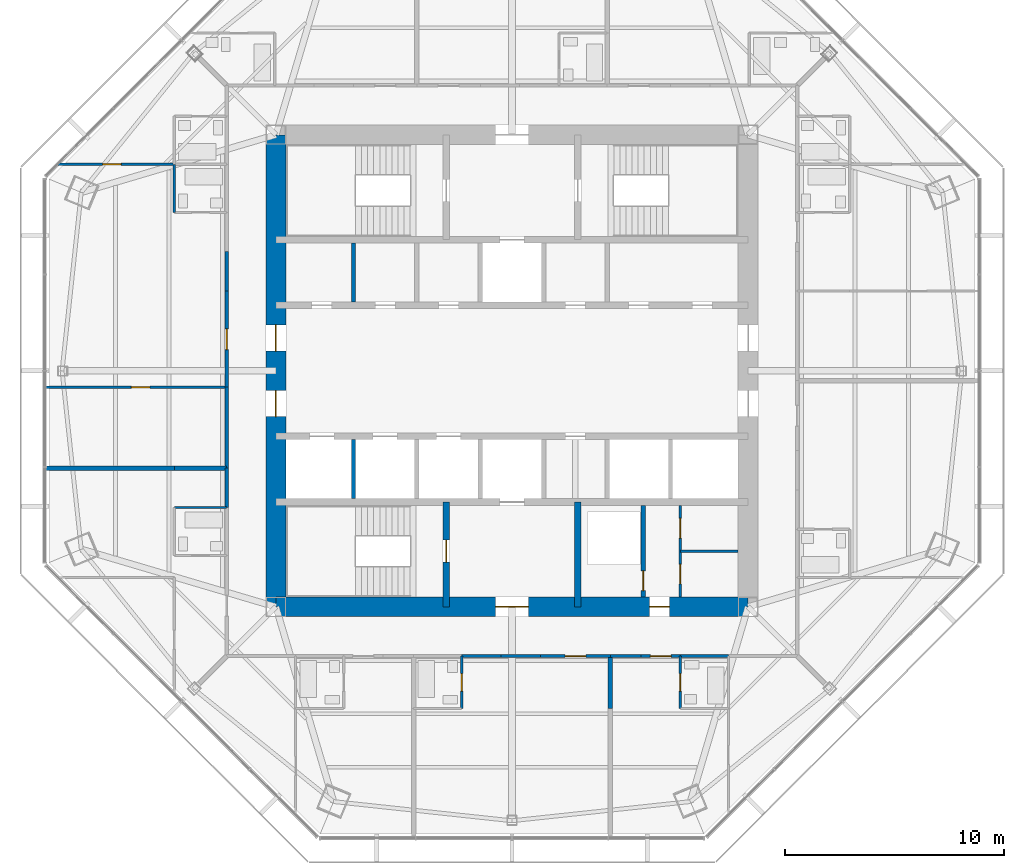
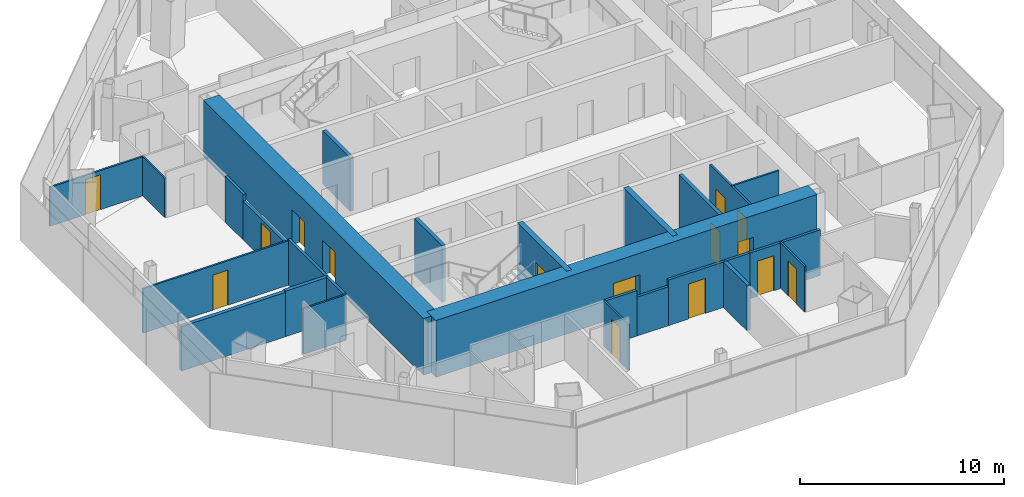
# One storey, part 10 of 15: 28 walls, 15 doors, 15 openings.
"""IFC4 building model written with IfcOpenShell, lengths in metres."""

from ifc_helpers import new_model, si_unit, direction, frame, frame_2d, origin, place, context, subcontext, project, spatial, rectangle, extrude, material, layer, layer_set, type_object, element, fill, save


model = new_model("IFC4")

# Units and contexts
model_context = context("Model", 3, precision=1e-05, world=origin(), true_north=direction((0.0, 1.0)))
body_context = subcontext(model_context, "Body", "Model", "MODEL_VIEW")
ifc_project = project(units=[si_unit("LENGTHUNIT", "METRE"), si_unit("AREAUNIT", "SQUARE_METRE"), si_unit("VOLUMEUNIT", "CUBIC_METRE"), si_unit("PLANEANGLEUNIT", "RADIAN"), si_unit("MASSUNIT", "GRAM", prefix="KILO")], contexts=[model_context])

# Site, building, storey
site_placement = place(None, origin())
site = spatial("IfcSite", under=ifc_project, at=site_placement, CompositionType="ELEMENT")
building_placement = place(site_placement, origin())
building = spatial("IfcBuilding", under=site, at=building_placement, Name="Mashrafa Tower", CompositionType="ELEMENT")
storey_placement = place(building_placement, frame((0.0, 0.0, 234.60009765625)))
storey = spatial("IfcBuildingStorey", under=building, at=storey_placement, Name="L55", CompositionType="ELEMENT", Elevation=234.60009765625)

# Walls
ifc_material_1 = material(Name="Gypsum board on steel studs", Category="steel")
ifc_layer_1 = layer(ifc_material_1, 0.199951171875)
ifc_layer_set_1 = layer_set([ifc_layer_1], Name="Acoustic partition 200 1 hr")
wall_type_1 = type_object("IfcWallType", Name="Acoustic partition 200 1 hr", PredefinedType="PARTITIONING", material=ifc_layer_set_1)
wall_1_placement = place(storey_placement, frame((-15.450927734375, -4.449951171875, 0.0), z_axis=(0.0, 0.0, 1.0), x_axis=(1.0, 0.0, 0.0)))
element("IfcWall", 1, at=wall_1_placement, inside=storey, type_object=wall_type_1, Name="Acoustic wall L55-078", PredefinedType="PARTITIONING", context=body_context, shape_type="SweptSolid", body=[
    extrude(rectangle(XDim=2.40087890625, YDim=0.199951171875, at=frame_2d((1.200439453125, 0.0))), origin(), (0.0, 0.0, 1.0), 2.730224609375),
])
wall_2_placement = place(storey_placement, frame((-21.360107421875, -4.449951171875, 0.0), z_axis=(0.0, 0.0, 1.0), x_axis=(1.0, 0.0, 0.0)))
element("IfcWall", 2, at=wall_2_placement, inside=storey, type_object=wall_type_1, Name="Acoustic wall L55-079", PredefinedType="PARTITIONING", context=body_context, shape_type="SweptSolid", body=[
    extrude(rectangle(XDim=5.9111328125, YDim=0.199951171875, at=frame_2d((2.95556640625, 0.0))), origin(), (0.0, 0.0, 1.0), 2.66162109375),
])
wall_3_placement = place(storey_placement, frame((4.5, -15.450927734375, 0.0), z_axis=(0.0, 0.0, 1.0), x_axis=(0.0, 1.0, 0.0)))
element("IfcWall", 3, at=wall_3_placement, inside=storey, type_object=wall_type_1, Name="Acoustic wall L55-094", PredefinedType="PARTITIONING", context=body_context, shape_type="SweptSolid", body=[
    extrude(rectangle(XDim=2.40087890625, YDim=0.199951171875, at=frame_2d((1.200439453125, 0.0))), origin(), (0.0, 0.0, 1.0), 2.730224609375),
])

# Wall, opening, door
ifc_material_2 = material(Name="Concrete masonry unit", Category="masonry")
ifc_layer_2 = layer(ifc_material_2, 0.199951171875)
ifc_layer_set_2 = layer_set([ifc_layer_2], Name="Blockwork wall 200 2 hr")
wall_type_2 = type_object("IfcWallType", Name="Blockwork wall 200 2 hr", PredefinedType="PARTITIONING", material=ifc_layer_set_2)
wall_4_placement = place(storey_placement, frame((6.0, -10.35009765625, 0.0), z_axis=(0.0, 0.0, 1.0), x_axis=(0.0, 1.0, 0.0)))
wall_4 = element("IfcWall", 4, at=wall_4_placement, inside=storey, type_object=wall_type_2, Name="Riser enclosure wall L55", PredefinedType="PARTITIONING", context=body_context, shape_type="SweptSolid", body=[
    extrude(rectangle(XDim=4.2001953125, YDim=0.199951171875, at=frame_2d((2.10009765625, 0.0))), origin(), (0.0, 0.0, 1.0), 3.199951171875),
])
opening_1_placement = place(wall_4_placement, frame((0.300048828125, 0.0, 0.0)))
opening_1 = element("IfcOpeningElement", 5, at=opening_1_placement, cuts=wall_4, Name="Opening 55.041", PredefinedType="OPENING", context=body_context, shape_type="SweptSolid", body=[
    extrude(rectangle(XDim=0.89990234375, YDim=2.10009765625, at=frame_2d((0.449951171875, 1.050048828125))), frame((0.0, 0.10986328125, 0.0), z_axis=(0.0, -1.0, 0.0), x_axis=(1.0, 0.0, 0.0)), (0.0, 0.0, 1.0), 0.219970703125),
])
ifc_material_3 = material(Name="Steel door", Category="steel")
door_type_1 = type_object("IfcDoorType", Name="Service door 900 x 2100 90 min", OperationType="USERDEFINED", PredefinedType="DOOR", material=ifc_material_3)
door_1_placement = place(opening_1_placement, origin())
door_1 = element("IfcDoor", 6, at=door_1_placement, inside=storey, type_object=door_type_1, Name="Riser door L55", OperationType="SINGLE_SWING_LEFT", OverallHeight=2.10009765625, OverallWidth=0.89990234375, PredefinedType="DOOR", context=body_context, shape_type="SweptSolid", body=[
    extrude(rectangle(XDim=0.89990234375, YDim=2.10009765625, at=frame_2d((0.449951171875, 1.050048828125))), frame((0.0, 0.02490234375, 0.0), z_axis=(0.0, -1.0, 0.0), x_axis=(1.0, 0.0, 0.0)), (0.0, 0.0, 1.0), 0.050048828125),
])
fill(opening_1, door_1)

ifc_material_4 = material(Name="Concrete C50/60", Category="concrete")
ifc_layer_3 = layer(ifc_material_4, 0.300048828125)
ifc_layer_set_3 = layer_set([ifc_layer_3], Name="Core wall 300 C50/60")
wall_type_3 = type_object("IfcWallType", Name="Core wall 300 C50/60", PredefinedType="SOLIDWALL", material=ifc_layer_set_3)
wall_5_placement = place(storey_placement, frame((-3.0, -6.0, 0.0), z_axis=(0.0, 0.0, 1.0), x_axis=(0.0, -1.0, 0.0)))
wall_5 = element("IfcWall", 7, at=wall_5_placement, inside=storey, type_object=wall_type_3, Name="Core wall CX-SW L55", PredefinedType="SOLIDWALL", context=body_context, shape_type="SweptSolid", body=[
    extrude(rectangle(XDim=4.800048828125, YDim=0.300048828125, at=frame_2d((2.39990234375, 0.0))), origin(), (0.0, 0.0, 1.0), 3.39990234375),
])
opening_2_placement = place(wall_5_placement, frame((1.75, 0.0, 0.0)))
opening_2 = element("IfcOpeningElement", 8, at=opening_2_placement, cuts=wall_5, Name="Opening 55.039", PredefinedType="OPENING", context=body_context, shape_type="SweptSolid", body=[
    extrude(rectangle(XDim=1.0, YDim=2.10009765625, at=frame_2d((0.5, 1.050048828125))), frame((0.0, 0.159912109375, 0.0), z_axis=(0.0, -1.0, 0.0), x_axis=(1.0, 0.0, 0.0)), (0.0, 0.0, 1.0), 0.320068359375),
])
ifc_material_5 = material(Name="Steel door", Category="steel")
door_type_2 = type_object("IfcDoorType", Name="Stair door 1000 x 2100 90 min", OperationType="USERDEFINED", PredefinedType="DOOR", material=ifc_material_5)
door_2_placement = place(opening_2_placement, frame((1.0, 0.0, 0.0), z_axis=(0.0, 0.0, 1.0), x_axis=(-1.0, 0.0, 0.0)))
door_2 = element("IfcDoor", 9, at=door_2_placement, inside=storey, type_object=door_type_2, Name="Stair S3 door L55", OperationType="SINGLE_SWING_RIGHT", OverallHeight=2.10009765625, OverallWidth=1.0, PredefinedType="DOOR", context=body_context, shape_type="SweptSolid", body=[
    extrude(rectangle(XDim=1.0, YDim=2.10009765625, at=frame_2d((0.5, 1.050048828125))), frame((0.0, 0.02490234375, 0.0), z_axis=(0.0, -1.0, 0.0), x_axis=(1.0, 0.0, 0.0)), (0.0, 0.0, 1.0), 0.050048828125),
])
fill(opening_2, door_2)

# Wall
wall_6_placement = place(storey_placement, frame((3.0, -6.0, 0.0), z_axis=(0.0, 0.0, 1.0), x_axis=(0.0, -1.0, 0.0)))
element("IfcWall", 10, at=wall_6_placement, inside=storey, type_object=wall_type_3, Name="Core wall CX-SE L55", PredefinedType="SOLIDWALL", context=body_context, shape_type="SweptSolid", body=[
    extrude(rectangle(XDim=4.800048828125, YDim=0.300048828125, at=frame_2d((2.39990234375, 0.0))), origin(), (0.0, 0.0, 1.0), 3.39990234375),
])

# Wall, openings, doors
ifc_material_6 = material(Name="Concrete C50/60", Category="concrete")
ifc_layer_4 = layer(ifc_material_6, 0.89990234375)
ifc_layer_set_4 = layer_set([ifc_layer_4], Name="Core wall 900 C50/60")
wall_type_4 = type_object("IfcWallType", Name="Core wall 900 C50/60", PredefinedType="SOLIDWALL", material=ifc_layer_set_4)
wall_7_placement = place(storey_placement, frame((-10.800048828125, -10.800048828125, 0.0), z_axis=(0.0, 0.0, 1.0), x_axis=(1.0, 0.0, 0.0)))
wall_7 = element("IfcWall", 11, at=wall_7_placement, inside=storey, type_object=wall_type_4, Name="Core wall CW-S L55", PredefinedType="SOLIDWALL", context=body_context, shape_type="SweptSolid", body=[
    extrude(rectangle(XDim=21.60009765625, YDim=0.89990234375, at=frame_2d((10.800048828125, 0.0))), origin(), (0.0, 0.0, 1.0), 3.39990234375),
])
opening_3_placement = place(wall_7_placement, frame((10.050048828125, 0.0, 0.0)))
opening_3 = element("IfcOpeningElement", 12, at=opening_3_placement, cuts=wall_7, Name="Opening 55.036", PredefinedType="OPENING", context=body_context, shape_type="SweptSolid", body=[
    extrude(rectangle(XDim=1.5, YDim=2.10009765625, at=frame_2d((0.75, 1.050048828125))), frame((0.0, 0.4599609375, 0.0), z_axis=(0.0, -1.0, 0.0), x_axis=(1.0, 0.0, 0.0)), (0.0, 0.0, 1.0), 0.919921875),
])
opening_4_placement = place(wall_7_placement, frame((17.10009765625, 0.0, 0.0)))
opening_4 = element("IfcOpeningElement", 13, at=opening_4_placement, cuts=wall_7, Name="Opening 55.040", PredefinedType="OPENING", context=body_context, shape_type="SweptSolid", body=[
    extrude(rectangle(XDim=0.89990234375, YDim=2.10009765625, at=frame_2d((0.449951171875, 1.050048828125))), frame((0.0, 0.4599609375, 0.0), z_axis=(0.0, -1.0, 0.0), x_axis=(1.0, 0.0, 0.0)), (0.0, 0.0, 1.0), 0.919921875),
])
ifc_material_7 = material(Name="Steel door", Category="steel")
door_type_3 = type_object("IfcDoorType", Name="Lobby door pair 1500 x 2100 90 min", OperationType="DOUBLE_DOOR_SINGLE_SWING", PredefinedType="DOOR", material=ifc_material_7)
door_3_placement = place(opening_3_placement, origin())
door_3 = element("IfcDoor", 14, at=door_3_placement, inside=storey, type_object=door_type_3, Name="Fire-fighting lobby F2 door L55", OperationType="DOUBLE_DOOR_SINGLE_SWING", OverallHeight=2.10009765625, OverallWidth=1.5, PredefinedType="DOOR", context=body_context, shape_type="SweptSolid", body=[
    extrude(rectangle(XDim=1.5, YDim=2.10009765625, at=frame_2d((0.75, 1.050048828125))), frame((0.0, 0.02490234375, 0.0), z_axis=(0.0, -1.0, 0.0), x_axis=(1.0, 0.0, 0.0)), (0.0, 0.0, 1.0), 0.050048828125),
])
fill(opening_3, door_3)
door_4_placement = place(opening_4_placement, frame((0.89990234375, 0.0, 0.0), z_axis=(0.0, 0.0, 1.0), x_axis=(-1.0, 0.0, 0.0)))
door_4 = element("IfcDoor", 15, at=door_4_placement, inside=storey, type_object=door_type_1, Name="Services Lobby L55 door", OperationType="SINGLE_SWING_LEFT", OverallHeight=2.10009765625, OverallWidth=0.89990234375, PredefinedType="DOOR", context=body_context, shape_type="SweptSolid", body=[
    extrude(rectangle(XDim=0.89990234375, YDim=2.10009765625, at=frame_2d((0.449951171875, 1.050048828125))), frame((0.0, 0.02490234375, 0.0), z_axis=(0.0, -1.0, 0.0), x_axis=(1.0, 0.0, 0.0)), (0.0, 0.0, 1.0), 0.050048828125),
])
fill(opening_4, door_4)

wall_8_placement = place(storey_placement, frame((-10.800048828125, 10.800048828125, 0.0), z_axis=(0.0, 0.0, 1.0), x_axis=(0.0, -1.0, 0.0)))
wall_8 = element("IfcWall", 16, at=wall_8_placement, inside=storey, type_object=wall_type_4, Name="Core wall CW-W L55", PredefinedType="SOLIDWALL", context=body_context, shape_type="SweptSolid", body=[
    extrude(rectangle(XDim=21.60009765625, YDim=0.89990234375, at=frame_2d((10.800048828125, 0.0))), origin(), (0.0, 0.0, 1.0), 3.39990234375),
])
opening_5_placement = place(wall_8_placement, frame((8.699951171875, 0.0, 0.0)))
opening_5 = element("IfcOpeningElement", 17, at=opening_5_placement, cuts=wall_8, Name="Opening 55.032", PredefinedType="OPENING", context=body_context, shape_type="SweptSolid", body=[
    extrude(rectangle(XDim=1.199951171875, YDim=2.10009765625, at=frame_2d((0.60009765625, 1.050048828125))), frame((0.0, 0.4599609375, 0.0), z_axis=(0.0, -1.0, 0.0), x_axis=(1.0, 0.0, 0.0)), (0.0, 0.0, 1.0), 0.919921875),
])
opening_6_placement = place(wall_8_placement, frame((11.699951171875, 0.0, 0.0)))
opening_6 = element("IfcOpeningElement", 18, at=opening_6_placement, cuts=wall_8, Name="Opening 55.034", PredefinedType="OPENING", context=body_context, shape_type="SweptSolid", body=[
    extrude(rectangle(XDim=1.199951171875, YDim=2.10009765625, at=frame_2d((0.60009765625, 1.050048828125))), frame((0.0, 0.4599609375, 0.0), z_axis=(0.0, -1.0, 0.0), x_axis=(1.0, 0.0, 0.0)), (0.0, 0.0, 1.0), 0.919921875),
])
ifc_material_8 = material(Name="Steel door", Category="steel")
door_type_4 = type_object("IfcDoorType", Name="Lift hall door 1200 x 2100 90 min", OperationType="USERDEFINED", PredefinedType="DOOR", material=ifc_material_8)
door_5_placement = place(opening_5_placement, frame((1.199951171875, 0.0, 0.0), z_axis=(0.0, 0.0, 1.0), x_axis=(-1.0, 0.0, 0.0)))
door_5 = element("IfcDoor", 19, at=door_5_placement, inside=storey, type_object=door_type_4, Name="Lift hall door west L55", OperationType="SINGLE_SWING_RIGHT", OverallHeight=2.10009765625, OverallWidth=1.199951171875, PredefinedType="DOOR", context=body_context, shape_type="SweptSolid", body=[
    extrude(rectangle(XDim=1.199951171875, YDim=2.10009765625, at=frame_2d((0.60009765625, 1.050048828125))), frame((0.0, 0.02490234375, 0.0), z_axis=(0.0, -1.0, 0.0), x_axis=(1.0, 0.0, 0.0)), (0.0, 0.0, 1.0), 0.050048828125),
])
fill(opening_5, door_5)
door_6_placement = place(opening_6_placement, frame((1.199951171875, 0.0, 0.0), z_axis=(0.0, 0.0, 1.0), x_axis=(-1.0, 0.0, 0.0)))
door_6 = element("IfcDoor", 20, at=door_6_placement, inside=storey, type_object=door_type_4, Name="Lift hall door west L55", OperationType="SINGLE_SWING_LEFT", OverallHeight=2.10009765625, OverallWidth=1.199951171875, PredefinedType="DOOR", context=body_context, shape_type="SweptSolid", body=[
    extrude(rectangle(XDim=1.199951171875, YDim=2.10009765625, at=frame_2d((0.60009765625, 1.050048828125))), frame((0.0, 0.02490234375, 0.0), z_axis=(0.0, -1.0, 0.0), x_axis=(1.0, 0.0, 0.0)), (0.0, 0.0, 1.0), 0.050048828125),
])
fill(opening_6, door_6)

# Walls
ifc_material_9 = material(Name="Gypsum board on steel studs", Category="steel")
ifc_layer_5 = layer(ifc_material_9, 0.14990234375)
ifc_layer_set_5 = layer_set([ifc_layer_5], Name="Corridor partition 150 1 hr")
wall_type_5 = type_object("IfcWallType", Name="Corridor partition 150 1 hr", PredefinedType="PARTITIONING", material=ifc_layer_set_5)
wall_9_placement = place(storey_placement, frame((-13.050048828125, 5.450927734375, 0.0), z_axis=(0.0, 0.0, 1.0), x_axis=(0.0, -1.0, 0.0)))
element("IfcWall", 21, at=wall_9_placement, inside=storey, type_object=wall_type_5, Name="Corridor wall L55-027", PredefinedType="PARTITIONING", context=body_context, shape_type="SweptSolid", body=[
    extrude(rectangle(XDim=1.802001953125, YDim=0.14990234375, at=frame_2d((0.90087890625, 0.0))), origin(), (0.0, 0.0, 1.0), 2.730224609375),
])
wall_10_placement = place(storey_placement, frame((-13.050048828125, -0.7490234375, 0.0), z_axis=(0.0, 0.0, 1.0), x_axis=(0.0, -1.0, 0.0)))
element("IfcWall", 22, at=wall_10_placement, inside=storey, type_object=wall_type_5, Name="Corridor wall L55-028", PredefinedType="PARTITIONING", context=body_context, shape_type="SweptSolid", body=[
    extrude(rectangle(XDim=3.701904296875, YDim=0.14990234375, at=frame_2d((1.85107421875, 0.0))), origin(), (0.0, 0.0, 1.0), 2.730224609375),
])

# Wall, opening, door
wall_11_placement = place(storey_placement, frame((-13.050048828125, 3.65087890625, 0.0), z_axis=(0.0, 0.0, 1.0), x_axis=(0.0, -1.0, 0.0)))
wall_11 = element("IfcWall", 23, at=wall_11_placement, inside=storey, type_object=wall_type_5, Name="Corridor wall L55-029", PredefinedType="PARTITIONING", context=body_context, shape_type="SweptSolid", body=[
    extrude(rectangle(XDim=4.40185546875, YDim=0.14990234375, at=frame_2d((2.200927734375, 0.0))), origin(), (0.0, 0.0, 1.0), 2.331298828125),
])
opening_7_placement = place(wall_11_placement, frame((1.72607421875, 0.0, 0.0)))
opening_7 = element("IfcOpeningElement", 24, at=opening_7_placement, cuts=wall_11, Name="Opening 55.019", PredefinedType="OPENING", context=body_context, shape_type="SweptSolid", body=[
    extrude(rectangle(XDim=0.949951171875, YDim=2.10009765625, at=frame_2d((0.47509765625, 1.050048828125))), frame((0.0, 0.0849609375, 0.0), z_axis=(0.0, -1.0, 0.0), x_axis=(1.0, 0.0, 0.0)), (0.0, 0.0, 1.0), 0.169921875),
])
ifc_material_10 = material(Name="Steel door", Category="steel")
door_type_5 = type_object("IfcDoorType", Name="Residence entrance door 950 x 2100 20 min", OperationType="USERDEFINED", PredefinedType="DOOR", material=ifc_material_10)
door_7_placement = place(opening_7_placement, frame((0.949951171875, 0.0, 0.0), z_axis=(0.0, 0.0, 1.0), x_axis=(-1.0, 0.0, 0.0)))
door_7 = element("IfcDoor", 25, at=door_7_placement, inside=storey, type_object=door_type_5, Name="Apartment 5506 Living Room door", OperationType="SINGLE_SWING_LEFT", OverallHeight=2.10009765625, OverallWidth=0.949951171875, PredefinedType="DOOR", context=body_context, shape_type="SweptSolid", body=[
    extrude(rectangle(XDim=0.949951171875, YDim=2.10009765625, at=frame_2d((0.47509765625, 1.050048828125))), frame((0.0, 0.02490234375, 0.0), z_axis=(0.0, -1.0, 0.0), x_axis=(1.0, 0.0, 0.0)), (0.0, 0.0, 1.0), 0.050048828125),
])
fill(opening_7, door_7)

# Walls
wall_12_placement = place(storey_placement, frame((-13.050048828125, -4.448974609375, 0.0), z_axis=(0.0, 0.0, 1.0), x_axis=(0.0, -1.0, 0.0)))
element("IfcWall", 26, at=wall_12_placement, inside=storey, type_object=wall_type_5, Name="Corridor wall L55-032", PredefinedType="PARTITIONING", context=body_context, shape_type="SweptSolid", body=[
    extrude(rectangle(XDim=1.802001953125, YDim=0.14990234375, at=frame_2d((0.90087890625, 0.0))), origin(), (0.0, 0.0, 1.0), 2.730224609375),
])
wall_13_placement = place(storey_placement, frame((-0.5009765625, -13.050048828125, 0.0), z_axis=(0.0, 0.0, 1.0), x_axis=(1.0, 0.0, 0.0)))
element("IfcWall", 27, at=wall_13_placement, inside=storey, type_object=wall_type_5, Name="Corridor wall L55-039", PredefinedType="PARTITIONING", context=body_context, shape_type="SweptSolid", body=[
    extrude(rectangle(XDim=1.802001953125, YDim=0.14990234375, at=frame_2d((0.90087890625, 0.0))), origin(), (0.0, 0.0, 1.0), 2.331298828125),
])
wall_14_placement = place(storey_placement, frame((-2.301025390625, -13.050048828125, 0.0), z_axis=(0.0, 0.0, 1.0), x_axis=(1.0, 0.0, 0.0)))
element("IfcWall", 28, at=wall_14_placement, inside=storey, type_object=wall_type_5, Name="Corridor wall L55-040", PredefinedType="PARTITIONING", context=body_context, shape_type="SweptSolid", body=[
    extrude(rectangle(XDim=1.802001953125, YDim=0.14990234375, at=frame_2d((0.90087890625, 0.0))), origin(), (0.0, 0.0, 1.0), 2.730224609375),
])

# Wall, opening, door
wall_15_placement = place(storey_placement, frame((1.299072265625, -13.050048828125, 0.0), z_axis=(0.0, 0.0, 1.0), x_axis=(1.0, 0.0, 0.0)))
wall_15 = element("IfcWall", 29, at=wall_15_placement, inside=storey, type_object=wall_type_5, Name="Corridor wall L55-041", PredefinedType="PARTITIONING", context=body_context, shape_type="SweptSolid", body=[
    extrude(rectangle(XDim=3.201904296875, YDim=0.14990234375, at=frame_2d((1.60107421875, 0.0))), origin(), (0.0, 0.0, 1.0), 2.730224609375),
])
opening_8_placement = place(wall_15_placement, frame((1.1259765625, 0.0, 0.0)))
opening_8 = element("IfcOpeningElement", 30, at=opening_8_placement, cuts=wall_15, Name="Opening 55.027", PredefinedType="OPENING", context=body_context, shape_type="SweptSolid", body=[
    extrude(rectangle(XDim=0.949951171875, YDim=2.10009765625, at=frame_2d((0.47509765625, 1.050048828125))), frame((0.0, 0.0849609375, 0.0), z_axis=(0.0, -1.0, 0.0), x_axis=(1.0, 0.0, 0.0)), (0.0, 0.0, 1.0), 0.169921875),
])
door_8_placement = place(opening_8_placement, frame((0.949951171875, 0.0, 0.0), z_axis=(0.0, 0.0, 1.0), x_axis=(-1.0, 0.0, 0.0)))
door_8 = element("IfcDoor", 31, at=door_8_placement, inside=storey, type_object=door_type_5, Name="Apartment 5509 Studio Living Room door", OperationType="SINGLE_SWING_LEFT", OverallHeight=2.10009765625, OverallWidth=0.949951171875, PredefinedType="DOOR", context=body_context, shape_type="SweptSolid", body=[
    extrude(rectangle(XDim=0.949951171875, YDim=2.10009765625, at=frame_2d((0.47509765625, 1.050048828125))), frame((0.0, 0.02490234375, 0.0), z_axis=(0.0, -1.0, 0.0), x_axis=(1.0, 0.0, 0.0)), (0.0, 0.0, 1.0), 0.050048828125),
])
fill(opening_8, door_8)

# Walls
wall_16_placement = place(storey_placement, frame((7.698974609375, -13.050048828125, 0.0), z_axis=(0.0, 0.0, 1.0), x_axis=(1.0, 0.0, 0.0)))
element("IfcWall", 32, at=wall_16_placement, inside=storey, type_object=wall_type_5, Name="Corridor wall L55-043", PredefinedType="PARTITIONING", context=body_context, shape_type="SweptSolid", body=[
    extrude(rectangle(XDim=2.201904296875, YDim=0.14990234375, at=frame_2d((1.10107421875, 0.0))), origin(), (0.0, 0.0, 1.0), 2.730224609375),
])
wall_17_placement = place(storey_placement, frame((4.4990234375, -13.050048828125, 0.0), z_axis=(0.0, 0.0, 1.0), x_axis=(1.0, 0.0, 0.0)))
element("IfcWall", 33, at=wall_17_placement, inside=storey, type_object=wall_type_5, Name="Corridor wall L55-044", PredefinedType="PARTITIONING", context=body_context, shape_type="SweptSolid", body=[
    extrude(rectangle(XDim=1.40185546875, YDim=0.14990234375, at=frame_2d((0.700927734375, 0.0))), origin(), (0.0, 0.0, 1.0), 2.730224609375),
])

# Wall, opening, door
wall_18_placement = place(storey_placement, frame((5.89892578125, -13.050048828125, 0.0), z_axis=(0.0, 0.0, 1.0), x_axis=(1.0, 0.0, 0.0)))
wall_18 = element("IfcWall", 34, at=wall_18_placement, inside=storey, type_object=wall_type_5, Name="Corridor wall L55-045", PredefinedType="PARTITIONING", context=body_context, shape_type="SweptSolid", body=[
    extrude(rectangle(XDim=1.802001953125, YDim=0.14990234375, at=frame_2d((0.90087890625, 0.0))), origin(), (0.0, 0.0, 1.0), 2.730224609375),
])
opening_9_placement = place(wall_18_placement, frame((0.426025390625, 0.0, 0.0)))
opening_9 = element("IfcOpeningElement", 35, at=opening_9_placement, cuts=wall_18, Name="Opening 55.030", PredefinedType="OPENING", context=body_context, shape_type="SweptSolid", body=[
    extrude(rectangle(XDim=0.949951171875, YDim=2.10009765625, at=frame_2d((0.47509765625, 1.050048828125))), frame((0.0, 0.0849609375, 0.0), z_axis=(0.0, -1.0, 0.0), x_axis=(1.0, 0.0, 0.0)), (0.0, 0.0, 1.0), 0.169921875),
])
door_9_placement = place(opening_9_placement, frame((0.949951171875, 0.0, 0.0), z_axis=(0.0, 0.0, 1.0), x_axis=(-1.0, 0.0, 0.0)))
door_9 = element("IfcDoor", 36, at=door_9_placement, inside=storey, type_object=door_type_5, Name="Apartment 5510 Living Room door", OperationType="SINGLE_SWING_RIGHT", OverallHeight=2.10009765625, OverallWidth=0.949951171875, PredefinedType="DOOR", context=body_context, shape_type="SweptSolid", body=[
    extrude(rectangle(XDim=0.949951171875, YDim=2.10009765625, at=frame_2d((0.47509765625, 1.050048828125))), frame((0.0, 0.02490234375, 0.0), z_axis=(0.0, -1.0, 0.0), x_axis=(1.0, 0.0, 0.0)), (0.0, 0.0, 1.0), 0.050048828125),
])
fill(opening_9, door_9)

ifc_material_11 = material(Name="Gypsum board on steel studs", Category="steel")
ifc_layer_6 = layer(ifc_material_11, 0.10009765625)
ifc_layer_set_6 = layer_set([ifc_layer_6], Name="Partition 100")
wall_type_6 = type_object("IfcWallType", Name="Partition 100", PredefinedType="PARTITIONING", material=ifc_layer_set_6)
wall_19_placement = place(storey_placement, frame((-20.76171875, 9.449951171875, 0.0), z_axis=(0.0, 0.0, 1.0), x_axis=(1.0, 0.0, 0.0)))
wall_19 = element("IfcWall", 37, at=wall_19_placement, inside=storey, type_object=wall_type_6, Name="Partition wall L55-074", PredefinedType="PARTITIONING", context=body_context, shape_type="SweptSolid", body=[
    extrude(rectangle(XDim=5.311767578125, YDim=0.10009765625, at=frame_2d((2.65576171875, 0.0))), origin(), (0.0, 0.0, 1.0), 2.343994140625),
])
opening_10_placement = place(wall_19_placement, frame((2.033935546875, 0.0, 0.0)))
opening_10 = element("IfcOpeningElement", 38, at=opening_10_placement, cuts=wall_19, Name="Opening 55.016", PredefinedType="OPENING", context=body_context, shape_type="SweptSolid", body=[
    extrude(rectangle(XDim=0.85009765625, YDim=2.10009765625, at=frame_2d((0.425048828125, 1.050048828125))), frame((0.0, 0.06005859375, 0.0), z_axis=(0.0, -1.0, 0.0), x_axis=(1.0, 0.0, 0.0)), (0.0, 0.0, 1.0), 0.1201171875),
])
ifc_material_12 = material(Name="Timber door", Category="wood")
door_type_6 = type_object("IfcDoorType", Name="Bedroom door 850 x 2100", OperationType="USERDEFINED", PredefinedType="DOOR", material=ifc_material_12)
door_10_placement = place(opening_10_placement, origin())
door_10 = element("IfcDoor", 39, at=door_10_placement, inside=storey, type_object=door_type_6, Name="Apartment 5506 Bedroom 1 door", OperationType="SINGLE_SWING_LEFT", OverallHeight=2.10009765625, OverallWidth=0.85009765625, PredefinedType="DOOR", context=body_context, shape_type="SweptSolid", body=[
    extrude(rectangle(XDim=0.85009765625, YDim=2.10009765625, at=frame_2d((0.425048828125, 1.050048828125))), frame((0.0, 0.02490234375, 0.0), z_axis=(0.0, -1.0, 0.0), x_axis=(1.0, 0.0, 0.0)), (0.0, 0.0, 1.0), 0.050048828125),
])
fill(opening_10, door_10)

# Wall
wall_20_placement = place(storey_placement, frame((-15.449951171875, 9.449951171875, 0.0), z_axis=(0.0, 0.0, 1.0), x_axis=(0.0, -1.0, 0.0)))
element("IfcWall", 40, at=wall_20_placement, inside=storey, type_object=wall_type_6, Name="Partition wall L55-075", PredefinedType="PARTITIONING", context=body_context, shape_type="SweptSolid", body=[
    extrude(rectangle(XDim=2.199951171875, YDim=0.10009765625, at=frame_2d((1.10009765625, 0.0))), origin(), (0.0, 0.0, 1.0), 2.343994140625),
])

# Wall, opening, door
wall_21_placement = place(storey_placement, frame((-13.050048828125, -0.75, 0.0), z_axis=(0.0, 0.0, 1.0), x_axis=(-1.0, 0.0, 0.0)))
wall_21 = element("IfcWall", 41, at=wall_21_placement, inside=storey, type_object=wall_type_6, Name="Partition wall L55-077", PredefinedType="PARTITIONING", context=body_context, shape_type="SweptSolid", body=[
    extrude(rectangle(XDim=8.312255859375, YDim=0.10009765625, at=frame_2d((4.15625, 0.0))), origin(), (0.0, 0.0, 1.0), 2.66162109375),
])
opening_11_placement = place(wall_21_placement, frame((3.51416015625, 0.0, 0.0)))
opening_11 = element("IfcOpeningElement", 42, at=opening_11_placement, cuts=wall_21, Name="Opening 55.018", PredefinedType="OPENING", context=body_context, shape_type="SweptSolid", body=[
    extrude(rectangle(XDim=0.85009765625, YDim=2.10009765625, at=frame_2d((0.425048828125, 1.050048828125))), frame((0.0, 0.06005859375, 0.0), z_axis=(0.0, -1.0, 0.0), x_axis=(1.0, 0.0, 0.0)), (0.0, 0.0, 1.0), 0.1201171875),
])
door_11_placement = place(opening_11_placement, origin())
door_11 = element("IfcDoor", 43, at=door_11_placement, inside=storey, type_object=door_type_6, Name="Apartment 5506 Bedroom 2 door", OperationType="SINGLE_SWING_LEFT", OverallHeight=2.10009765625, OverallWidth=0.85009765625, PredefinedType="DOOR", context=body_context, shape_type="SweptSolid", body=[
    extrude(rectangle(XDim=0.85009765625, YDim=2.10009765625, at=frame_2d((0.425048828125, 1.050048828125))), frame((0.0, 0.02490234375, 0.0), z_axis=(0.0, -1.0, 0.0), x_axis=(1.0, 0.0, 0.0)), (0.0, 0.0, 1.0), 0.050048828125),
])
fill(opening_11, door_11)

# Wall
wall_22_placement = place(storey_placement, frame((-13.050048828125, -6.25, 0.0), z_axis=(0.0, 0.0, 1.0), x_axis=(-1.0, 0.0, 0.0)))
element("IfcWall", 44, at=wall_22_placement, inside=storey, type_object=wall_type_6, Name="Partition wall L55-082", PredefinedType="PARTITIONING", context=body_context, shape_type="SweptSolid", body=[
    extrude(rectangle(XDim=2.39990234375, YDim=0.10009765625, at=frame_2d((1.199951171875, 0.0))), origin(), (0.0, 0.0, 1.0), 2.730224609375),
])

# Wall, opening, door
wall_23_placement = place(storey_placement, frame((-2.300048828125, -15.449951171875, 0.0), z_axis=(0.0, 0.0, 1.0), x_axis=(0.0, 1.0, 0.0)))
wall_23 = element("IfcWall", 45, at=wall_23_placement, inside=storey, type_object=wall_type_6, Name="Partition wall L55-093", PredefinedType="PARTITIONING", context=body_context, shape_type="SweptSolid", body=[
    extrude(rectangle(XDim=2.39990234375, YDim=0.10009765625, at=frame_2d((1.199951171875, 0.0))), origin(), (0.0, 0.0, 1.0), 2.730224609375),
])
opening_12_placement = place(wall_23_placement, frame((0.800048828125, 0.0, 0.0)))
opening_12 = element("IfcOpeningElement", 46, at=opening_12_placement, cuts=wall_23, Name="Opening 55.026", PredefinedType="OPENING", context=body_context, shape_type="SweptSolid", body=[
    extrude(rectangle(XDim=0.800048828125, YDim=2.10009765625, at=frame_2d((0.39990234375, 1.050048828125))), frame((0.0, 0.06005859375, 0.0), z_axis=(0.0, -1.0, 0.0), x_axis=(1.0, 0.0, 0.0)), (0.0, 0.0, 1.0), 0.1201171875),
])
ifc_material_13 = material(Name="Timber door", Category="wood")
door_type_7 = type_object("IfcDoorType", Name="Bathroom door 800 x 2100", OperationType="USERDEFINED", PredefinedType="DOOR", material=ifc_material_13)
door_12_placement = place(opening_12_placement, origin())
door_12 = element("IfcDoor", 47, at=door_12_placement, inside=storey, type_object=door_type_7, Name="Apartment 5509 Bathroom door", OperationType="SINGLE_SWING_RIGHT", OverallHeight=2.10009765625, OverallWidth=0.800048828125, PredefinedType="DOOR", context=body_context, shape_type="SweptSolid", body=[
    extrude(rectangle(XDim=0.800048828125, YDim=2.10009765625, at=frame_2d((0.39990234375, 1.050048828125))), frame((0.0, 0.02490234375, 0.0), z_axis=(0.0, -1.0, 0.0), x_axis=(1.0, 0.0, 0.0)), (0.0, 0.0, 1.0), 0.050048828125),
])
fill(opening_12, door_12)

wall_24_placement = place(storey_placement, frame((7.699951171875, -13.050048828125, 0.0), z_axis=(0.0, 0.0, 1.0), x_axis=(0.0, -1.0, 0.0)))
wall_24 = element("IfcWall", 48, at=wall_24_placement, inside=storey, type_object=wall_type_6, Name="Partition wall L55-098", PredefinedType="PARTITIONING", context=body_context, shape_type="SweptSolid", body=[
    extrude(rectangle(XDim=2.39990234375, YDim=0.10009765625, at=frame_2d((1.199951171875, 0.0))), origin(), (0.0, 0.0, 1.0), 2.730224609375),
])
opening_13_placement = place(wall_24_placement, frame((0.800048828125, 0.0, 0.0)))
opening_13 = element("IfcOpeningElement", 49, at=opening_13_placement, cuts=wall_24, Name="Opening 55.029", PredefinedType="OPENING", context=body_context, shape_type="SweptSolid", body=[
    extrude(rectangle(XDim=0.800048828125, YDim=2.10009765625, at=frame_2d((0.39990234375, 1.050048828125))), frame((0.0, 0.06005859375, 0.0), z_axis=(0.0, -1.0, 0.0), x_axis=(1.0, 0.0, 0.0)), (0.0, 0.0, 1.0), 0.1201171875),
])
door_13_placement = place(opening_13_placement, origin())
door_13 = element("IfcDoor", 50, at=door_13_placement, inside=storey, type_object=door_type_7, Name="Apartment 5510 Bathroom door", OperationType="SINGLE_SWING_RIGHT", OverallHeight=2.10009765625, OverallWidth=0.800048828125, PredefinedType="DOOR", context=body_context, shape_type="SweptSolid", body=[
    extrude(rectangle(XDim=0.800048828125, YDim=2.10009765625, at=frame_2d((0.39990234375, 1.050048828125))), frame((0.0, 0.02490234375, 0.0), z_axis=(0.0, -1.0, 0.0), x_axis=(1.0, 0.0, 0.0)), (0.0, 0.0, 1.0), 0.050048828125),
])
fill(opening_13, door_13)

# Wall, openings, doors
ifc_material_14 = material(Name="Gypsum board on steel studs", Category="steel")
ifc_layer_7 = layer(ifc_material_14, 0.10009765625)
ifc_layer_set_7 = layer_set([ifc_layer_7], Name="Partition 100 1 hr")
wall_type_7 = type_object("IfcWallType", Name="Partition 100 1 hr", PredefinedType="PARTITIONING", material=ifc_layer_set_7)
wall_25_placement = place(storey_placement, frame((7.699951171875, -10.35009765625, 0.0), z_axis=(0.0, 0.0, 1.0), x_axis=(0.0, 1.0, 0.0)))
wall_25 = element("IfcWall", 51, at=wall_25_placement, inside=storey, type_object=wall_type_7, Name="Services lobby partition A L55", PredefinedType="PARTITIONING", context=body_context, shape_type="SweptSolid", body=[
    extrude(rectangle(XDim=4.2001953125, YDim=0.10009765625, at=frame_2d((2.10009765625, 0.0))), origin(), (0.0, 0.0, 1.0), 3.199951171875),
])
opening_14_placement = place(wall_25_placement, frame((2.699951171875, 0.0, 0.0)))
opening_14 = element("IfcOpeningElement", 52, at=opening_14_placement, cuts=wall_25, Name="Opening 55.042", PredefinedType="OPENING", context=body_context, shape_type="SweptSolid", body=[
    extrude(rectangle(XDim=0.89990234375, YDim=2.10009765625, at=frame_2d((0.449951171875, 1.050048828125))), frame((0.0, 0.06005859375, 0.0), z_axis=(0.0, -1.0, 0.0), x_axis=(1.0, 0.0, 0.0)), (0.0, 0.0, 1.0), 0.1201171875),
])
opening_15_placement = place(wall_25_placement, frame((0.60009765625, 0.0, 0.0)))
opening_15 = element("IfcOpeningElement", 53, at=opening_15_placement, cuts=wall_25, Name="Opening 55.043", PredefinedType="OPENING", context=body_context, shape_type="SweptSolid", body=[
    extrude(rectangle(XDim=0.89990234375, YDim=2.10009765625, at=frame_2d((0.449951171875, 1.050048828125))), frame((0.0, 0.06005859375, 0.0), z_axis=(0.0, -1.0, 0.0), x_axis=(1.0, 0.0, 0.0)), (0.0, 0.0, 1.0), 0.1201171875),
])
ifc_material_15 = material(Name="Timber door", Category="wood")
door_type_8 = type_object("IfcDoorType", Name="Store door 900 x 2100", OperationType="USERDEFINED", PredefinedType="DOOR", material=ifc_material_15)
door_14_placement = place(opening_14_placement, frame((0.89990234375, 0.0, 0.0), z_axis=(0.0, 0.0, 1.0), x_axis=(-1.0, 0.0, 0.0)))
door_14 = element("IfcDoor", 54, at=door_14_placement, inside=storey, type_object=door_type_8, Name="Communications Room L55 door", OperationType="SINGLE_SWING_RIGHT", OverallHeight=2.10009765625, OverallWidth=0.89990234375, PredefinedType="DOOR", context=body_context, shape_type="SweptSolid", body=[
    extrude(rectangle(XDim=0.89990234375, YDim=2.10009765625, at=frame_2d((0.449951171875, 1.050048828125))), frame((0.0, 0.02490234375, 0.0), z_axis=(0.0, -1.0, 0.0), x_axis=(1.0, 0.0, 0.0)), (0.0, 0.0, 1.0), 0.050048828125),
])
fill(opening_14, door_14)
door_15_placement = place(opening_15_placement, frame((0.89990234375, 0.0, 0.0), z_axis=(0.0, 0.0, 1.0), x_axis=(-1.0, 0.0, 0.0)))
door_15 = element("IfcDoor", 55, at=door_15_placement, inside=storey, type_object=door_type_8, Name="Building Services Store L55 door", OperationType="SINGLE_SWING_LEFT", OverallHeight=2.10009765625, OverallWidth=0.89990234375, PredefinedType="DOOR", context=body_context, shape_type="SweptSolid", body=[
    extrude(rectangle(XDim=0.89990234375, YDim=2.10009765625, at=frame_2d((0.449951171875, 1.050048828125))), frame((0.0, 0.02490234375, 0.0), z_axis=(0.0, -1.0, 0.0), x_axis=(1.0, 0.0, 0.0)), (0.0, 0.0, 1.0), 0.050048828125),
])
fill(opening_15, door_15)

# Walls
wall_26_placement = place(storey_placement, frame((7.699951171875, -8.25, 0.0), z_axis=(0.0, 0.0, 1.0), x_axis=(1.0, 0.0, 0.0)))
element("IfcWall", 56, at=wall_26_placement, inside=storey, type_object=wall_type_7, Name="Services lobby partition B L55", PredefinedType="PARTITIONING", context=body_context, shape_type="SweptSolid", body=[
    extrude(rectangle(XDim=2.650146484375, YDim=0.10009765625, at=frame_2d((1.3251953125, 0.0))), origin(), (0.0, 0.0, 1.0), 3.199951171875),
])
ifc_material_16 = material(Name="Gypsum shaft wall on steel studs", Category="steel")
ifc_layer_8 = layer(ifc_material_16, 0.199951171875)
ifc_layer_set_8 = layer_set([ifc_layer_8], Name="Shaft divider wall 200 2 hr")
wall_type_8 = type_object("IfcWallType", Name="Shaft divider wall 200 2 hr", PredefinedType="PARTITIONING", material=ifc_layer_set_8)
wall_27_placement = place(storey_placement, frame((-7.25, 3.14990234375, 0.0), z_axis=(0.0, 0.0, 1.0), x_axis=(0.0, 1.0, 0.0)))
element("IfcWall", 57, at=wall_27_placement, inside=storey, type_object=wall_type_8, Name="Shaft divider wall N1 L55", PredefinedType="PARTITIONING", context=body_context, shape_type="SweptSolid", body=[
    extrude(rectangle(XDim=2.7001953125, YDim=0.199951171875, at=frame_2d((1.35009765625, 0.0))), origin(), (0.0, 0.0, 1.0), 3.199951171875),
])
wall_28_placement = place(storey_placement, frame((-7.25, -5.85009765625, 0.0), z_axis=(0.0, 0.0, 1.0), x_axis=(0.0, 1.0, 0.0)))
element("IfcWall", 58, at=wall_28_placement, inside=storey, type_object=wall_type_8, Name="Shaft divider wall S1 L55", PredefinedType="PARTITIONING", context=body_context, shape_type="SweptSolid", body=[
    extrude(rectangle(XDim=2.7001953125, YDim=0.199951171875, at=frame_2d((1.35009765625, 0.0))), origin(), (0.0, 0.0, 1.0), 3.39990234375),
])

save(model, "model.ifc")
